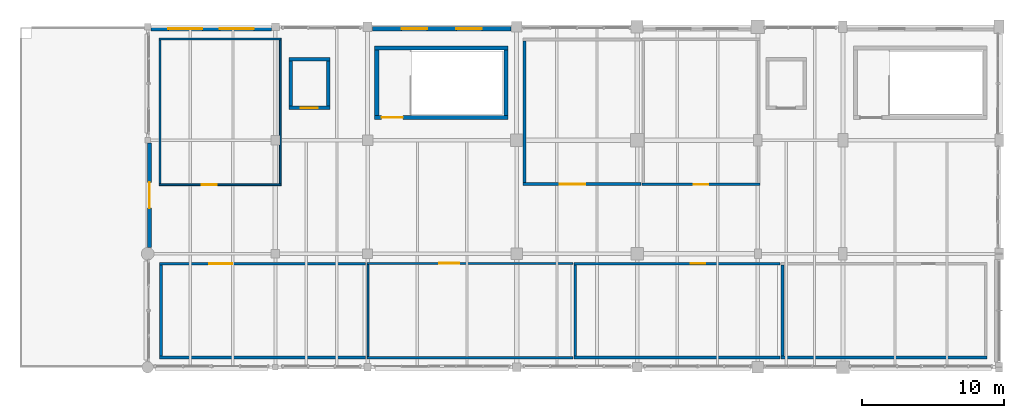
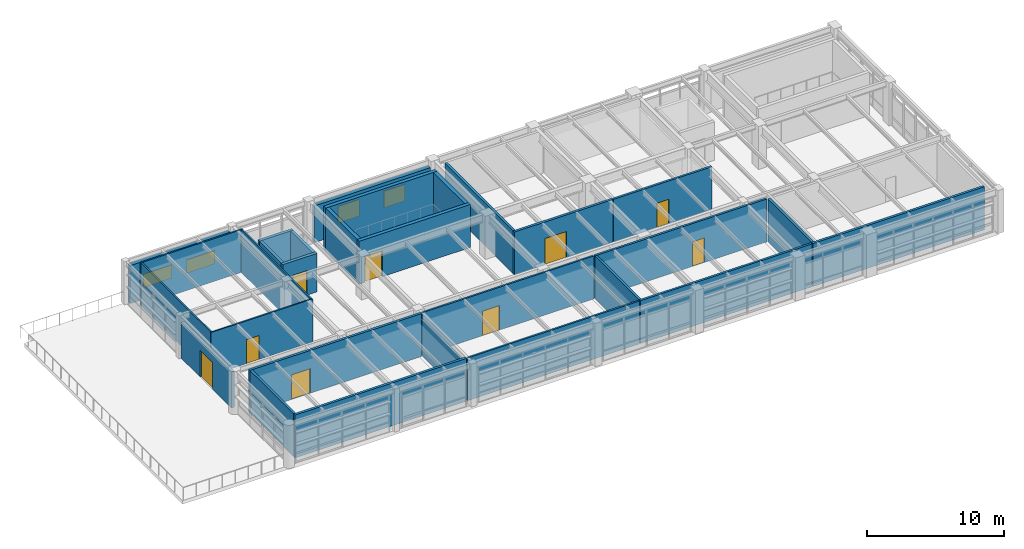
# One storey, part 24 of 26: 29 walls, 9 doors, 4 windows, 13 openings.
"""IFC4 building model written with IfcOpenShell, lengths in metres."""

from ifc_helpers import new_model, si_unit, direction, frame, frame_2d, origin, place, context, subcontext, project, spatial, rectangle, extrude, material, layer, layer_set, type_object, element, fill, save


model = new_model("IFC4")

# Units and contexts
model_context = context("Model", 3, precision=1e-05, world=origin(), true_north=direction((0.0, 1.0)))
body_context = subcontext(model_context, "Body", "Model", "MODEL_VIEW")
ifc_project = project(units=[si_unit("LENGTHUNIT", "METRE"), si_unit("AREAUNIT", "SQUARE_METRE"), si_unit("VOLUMEUNIT", "CUBIC_METRE"), si_unit("PLANEANGLEUNIT", "RADIAN"), si_unit("MASSUNIT", "GRAM", prefix="KILO"), si_unit("THERMODYNAMICTEMPERATUREUNIT", "KELVIN"), si_unit("POWERUNIT", "WATT")], contexts=[model_context])

# Site, building, storey
site_placement = place(None, origin())
site = spatial("IfcSite", under=ifc_project, at=site_placement, CompositionType="ELEMENT")
building_placement = place(site_placement, origin())
building = spatial("IfcBuilding", under=site, at=building_placement, Name="Tepalcoro Natatorium and Aquatics Centre", CompositionType="ELEMENT")
storey_placement = place(building_placement, frame((0.0, 0.0, 19.0)))
storey = spatial("IfcBuildingStorey", under=building, at=storey_placement, Name="L04", CompositionType="ELEMENT", Elevation=19.0)

# Wall, opening, door
ifc_material_1 = material(Name="Precast Concrete C45/55 (fc 45 MPa)", Category="concrete")
ifc_layer_1 = layer(ifc_material_1, 0.260009765625)
ifc_layer_set_1 = layer_set([ifc_layer_1], Name="Precast Concrete C45/55 (fc 45 MPa)")
wall_type_1 = type_object("IfcWallType", Name="WL_EXT_GABLE_260", PredefinedType="SOLIDWALL", material=ifc_layer_set_1)
wall_1_placement = place(storey_placement, frame((116.1298828125, 102.4541015625, 0.0), z_axis=(0.0, 0.0, 1.0), x_axis=(0.0, 1.0, 0.0)))
wall_1 = element("IfcWall", 1, at=wall_1_placement, inside=storey, type_object=wall_type_1, Name="V5 L04 W Volcanic Basalt Envelope Wall", PredefinedType="SOLIDWALL", context=body_context, shape_type="SweptSolid", body=[
    extrude(rectangle(XDim=7.341796875, YDim=0.260009765625, at=frame_2d((3.6708984375, 0.0))), origin(), (0.0, 0.0, 1.0), 3.2080078125),
])
opening_1_placement = place(wall_1_placement, frame((2.77099609375, 0.0, 0.0)))
opening_1 = element("IfcOpeningElement", 2, at=opening_1_placement, cuts=wall_1, Name="Opening ED5049", PredefinedType="OPENING", context=body_context, shape_type="SweptSolid", body=[
    extrude(rectangle(XDim=1.800048828125, YDim=2.39990234375, at=frame_2d((0.89990234375, 1.199951171875))), frame((0.0, 0.14208984375, 0.0), z_axis=(0.0, -1.0, 0.0), x_axis=(1.0, 0.0, 0.0)), (0.0, 0.0, 1.0), 0.283935546875),
])
ifc_material_2 = material(Name="Bronze-Anodised Extruded Aluminium Alloy EN AW-6063 T6", Category="aluminium")
door_type_1 = type_object("IfcDoorType", Name="DR_180x240_TERR", OperationType="NOTDEFINED", PredefinedType="DOOR", material=ifc_material_2)
door_1_placement = place(opening_1_placement, origin())
door_1 = element("IfcDoor", 3, at=door_1_placement, inside=storey, type_object=door_type_1, Name="V5 L04 Altitude Lab Terrace Door", OperationType="DOUBLE_DOOR_SINGLE_SWING", OverallHeight=2.39990234375, OverallWidth=1.800048828125, PredefinedType="DOOR", context=body_context, shape_type="SweptSolid", body=[
    extrude(rectangle(XDim=1.800048828125, YDim=2.39990234375, at=frame_2d((0.89990234375, 1.199951171875))), frame((0.0, 0.02490234375, 0.0), z_axis=(0.0, -1.0, 0.0), x_axis=(1.0, 0.0, 0.0)), (0.0, 0.0, 1.0), 0.050048828125),
])
fill(opening_1, door_1)

# Wall, openings, windows
ifc_material_3 = material(Name="Jalisco Cantera Rosa Volcanic Tuff Ashlar Masonry", Category="masonry")
ifc_layer_2 = layer(ifc_material_3, 0.304931640625)
ifc_layer_set_2 = layer_set([ifc_layer_2], Name="Jalisco Cantera Rosa Volcanic Tuff Ashlar Masonry")
wall_type_2 = type_object("IfcWallType", Name="WL_EXT_TERRACOTTA_300", PredefinedType="SOLIDWALL", material=ifc_layer_set_2)
wall_2_placement = place(storey_placement, frame((116.22900390625, 117.847412109375, 0.0), z_axis=(0.0, 0.0, 1.0), x_axis=(1.0, 0.0, 0.0)))
wall_2 = element("IfcWall", 4, at=wall_2_placement, inside=storey, type_object=wall_type_2, Name="V5 L04 N Volcanic Basalt Envelope Wall", PredefinedType="SOLIDWALL", context=body_context, shape_type="SweptSolid", body=[
    extrude(rectangle(XDim=8.491943359375, YDim=0.304931640625, at=frame_2d((4.24609375, 0.0))), origin(), (0.0, 0.0, 1.0), 3.406982421875),
])
opening_2_placement = place(wall_2_placement, frame((1.230712890625, 0.0, 0.949951171875)))
opening_2 = element("IfcOpeningElement", 5, at=opening_2_placement, cuts=wall_2, Name="Opening W0111A", PredefinedType="OPENING", context=body_context, shape_type="SweptSolid", body=[
    extrude(rectangle(XDim=2.39990234375, YDim=1.199951171875, at=frame_2d((1.199951171875, 0.60009765625))), frame((0.0, 0.16455078125, 0.0), z_axis=(0.0, -1.0, 0.0), x_axis=(1.0, 0.0, 0.0)), (0.0, 0.0, 1.0), 0.328857421875),
])
opening_3_placement = place(wall_2_placement, frame((4.861328125, 0.0, 0.949951171875)))
opening_3 = element("IfcOpeningElement", 6, at=opening_3_placement, cuts=wall_2, Name="Opening W0111B", PredefinedType="OPENING", context=body_context, shape_type="SweptSolid", body=[
    extrude(rectangle(XDim=2.39990234375, YDim=1.199951171875, at=frame_2d((1.199951171875, 0.60009765625))), frame((0.0, 0.16455078125, 0.0), z_axis=(0.0, -1.0, 0.0), x_axis=(1.0, 0.0, 0.0)), (0.0, 0.0, 1.0), 0.328857421875),
])
ifc_material_4 = material(Name="Solar-Control Bronze Tempered Low-E Double Glazing", Category="glass")
window_type_1 = type_object("IfcWindowType", Name="WN_240x120", PartitioningType="SINGLE_PANEL", PredefinedType="WINDOW", material=ifc_material_4)
window_1_placement = place(opening_2_placement, origin())
window_1 = element("IfcWindow", 7, at=window_1_placement, inside=storey, type_object=window_type_1, Name="Exterior Thermal Window WN_240x120", OverallHeight=1.199951171875, OverallWidth=2.39990234375, PartitioningType="SINGLE_PANEL", PredefinedType="WINDOW", context=body_context, shape_type="SweptSolid", body=[
    extrude(rectangle(XDim=2.39990234375, YDim=1.199951171875, at=frame_2d((1.199951171875, 0.60009765625))), frame((0.0, 0.030029296875, 0.0), z_axis=(0.0, -1.0, 0.0), x_axis=(1.0, 0.0, 0.0)), (0.0, 0.0, 1.0), 0.06005859375),
])
fill(opening_2, window_1)
window_2_placement = place(opening_3_placement, origin())
window_2 = element("IfcWindow", 8, at=window_2_placement, inside=storey, type_object=window_type_1, Name="Exterior Thermal Window WN_240x120", OverallHeight=1.199951171875, OverallWidth=2.39990234375, PartitioningType="SINGLE_PANEL", PredefinedType="WINDOW", context=body_context, shape_type="SweptSolid", body=[
    extrude(rectangle(XDim=2.39990234375, YDim=1.199951171875, at=frame_2d((1.199951171875, 0.60009765625))), frame((0.0, 0.030029296875, 0.0), z_axis=(0.0, -1.0, 0.0), x_axis=(1.0, 0.0, 0.0)), (0.0, 0.0, 1.0), 0.06005859375),
])
fill(opening_3, window_2)

wall_3_placement = place(storey_placement, frame((131.8291015625, 117.847412109375, 0.0), z_axis=(0.0, 0.0, 1.0), x_axis=(1.0, 0.0, 0.0)))
wall_3 = element("IfcWall", 9, at=wall_3_placement, inside=storey, type_object=wall_type_2, Name="V5 L04 N Volcanic Basalt Envelope Wall", PredefinedType="SOLIDWALL", context=body_context, shape_type="SweptSolid", body=[
    extrude(rectangle(XDim=9.7919921875, YDim=0.304931640625, at=frame_2d((4.89599609375, 0.0))), origin(), (0.0, 0.0, 1.0), 3.283935546875),
])
opening_4_placement = place(wall_3_placement, frame((2.06396484375, 0.0, 0.949951171875)))
opening_4 = element("IfcOpeningElement", 10, at=opening_4_placement, cuts=wall_3, Name="Opening W0112A", PredefinedType="OPENING", context=body_context, shape_type="SweptSolid", body=[
    extrude(rectangle(XDim=1.800048828125, YDim=1.5, at=frame_2d((0.89990234375, 0.75))), frame((0.0, 0.16455078125, 0.0), z_axis=(0.0, -1.0, 0.0), x_axis=(1.0, 0.0, 0.0)), (0.0, 0.0, 1.0), 0.328857421875),
])
opening_5_placement = place(wall_3_placement, frame((5.927978515625, 0.0, 0.949951171875)))
opening_5 = element("IfcOpeningElement", 11, at=opening_5_placement, cuts=wall_3, Name="Opening W0112B", PredefinedType="OPENING", context=body_context, shape_type="SweptSolid", body=[
    extrude(rectangle(XDim=1.800048828125, YDim=1.5, at=frame_2d((0.89990234375, 0.75))), frame((0.0, 0.16455078125, 0.0), z_axis=(0.0, -1.0, 0.0), x_axis=(1.0, 0.0, 0.0)), (0.0, 0.0, 1.0), 0.328857421875),
])
window_type_2 = type_object("IfcWindowType", Name="WN_180x150", PartitioningType="SINGLE_PANEL", PredefinedType="WINDOW", material=ifc_material_4)
window_3_placement = place(opening_4_placement, origin())
window_3 = element("IfcWindow", 12, at=window_3_placement, inside=storey, type_object=window_type_2, Name="Exterior Thermal Window WN_180x150", OverallHeight=1.5, OverallWidth=1.800048828125, PartitioningType="SINGLE_PANEL", PredefinedType="WINDOW", context=body_context, shape_type="SweptSolid", body=[
    extrude(rectangle(XDim=1.800048828125, YDim=1.5, at=frame_2d((0.89990234375, 0.75))), frame((0.0, 0.030029296875, 0.0), z_axis=(0.0, -1.0, 0.0), x_axis=(1.0, 0.0, 0.0)), (0.0, 0.0, 1.0), 0.06005859375),
])
fill(opening_4, window_3)
window_4_placement = place(opening_5_placement, origin())
window_4 = element("IfcWindow", 13, at=window_4_placement, inside=storey, type_object=window_type_2, Name="Exterior Thermal Window WN_180x150", OverallHeight=1.5, OverallWidth=1.800048828125, PartitioningType="SINGLE_PANEL", PredefinedType="WINDOW", context=body_context, shape_type="SweptSolid", body=[
    extrude(rectangle(XDim=1.800048828125, YDim=1.5, at=frame_2d((0.89990234375, 0.75))), frame((0.0, 0.030029296875, 0.0), z_axis=(0.0, -1.0, 0.0), x_axis=(1.0, 0.0, 0.0)), (0.0, 0.0, 1.0), 0.06005859375),
])
fill(opening_5, window_4)

# Wall, opening, door
ifc_material_5 = material(Name="Moisture-Resistant Acoustic Gypsum Drywall on Cold-Formed Metal Studs")
ifc_layer_3 = layer(ifc_material_5, 0.125)
ifc_layer_set_3 = layer_set([ifc_layer_3], Name="Moisture-Resistant Acoustic Gypsum Drywall on Cold-Formed Metal Studs")
wall_type_3 = type_object("IfcWallType", Name="WL_PART_125", PredefinedType="PARTITIONING", material=ifc_layer_set_3)
wall_4_placement = place(storey_placement, frame((116.800048828125, 106.862548828125, 0.0), z_axis=(0.0, 0.0, 1.0), x_axis=(1.0, 0.0, 0.0)))
wall_4 = element("IfcWall", 14, at=wall_4_placement, inside=storey, type_object=wall_type_3, Name="High-Altitude Physiology Data & Coaching Suite Partition S", PredefinedType="PARTITIONING", context=body_context, shape_type="SweptSolid", body=[
    extrude(rectangle(XDim=8.599853515625, YDim=0.125, at=frame_2d((4.2998046875, 0.0))), origin(), (0.0, 0.0, 1.0), 3.8349609375),
])
opening_6_placement = place(wall_4_placement, frame((3.0009765625, 0.0, 0.0)))
opening_6 = element("IfcOpeningElement", 15, at=opening_6_placement, cuts=wall_4, Name="Opening D0194", PredefinedType="OPENING", context=body_context, shape_type="SweptSolid", body=[
    extrude(rectangle(XDim=1.050048828125, YDim=2.14990234375, at=frame_2d((0.52490234375, 1.074951171875))), frame((0.0, 0.074462890625, 0.0), z_axis=(0.0, -1.0, 0.0), x_axis=(1.0, 0.0, 0.0)), (0.0, 0.0, 1.0), 0.14892578125),
])
ifc_material_6 = material(Name="Solid-Core Moisture-Sealed Oak Timber Leaf in Aluminium Frame", Category="wood")
door_type_2 = type_object("IfcDoorType", Name="DR_105x215_ACC", OperationType="NOTDEFINED", PredefinedType="DOOR", material=ifc_material_6)
door_2_placement = place(opening_6_placement, origin())
door_2 = element("IfcDoor", 16, at=door_2_placement, inside=storey, type_object=door_type_2, Name="High-Altitude Physiology Data & Coaching Suite Door", OperationType="SINGLE_SWING_LEFT", OverallHeight=2.14990234375, OverallWidth=1.050048828125, PredefinedType="DOOR", context=body_context, shape_type="SweptSolid", body=[
    extrude(rectangle(XDim=1.050048828125, YDim=2.14990234375, at=frame_2d((0.52490234375, 1.074951171875))), frame((0.0, 0.02490234375, 0.0), z_axis=(0.0, -1.0, 0.0), x_axis=(1.0, 0.0, 0.0)), (0.0, 0.0, 1.0), 0.050048828125),
])
fill(opening_6, door_2)

# Walls
wall_5_placement = place(storey_placement, frame((116.800048828125, 117.137451171875, 0.0), z_axis=(0.0, 0.0, 1.0), x_axis=(1.0, 0.0, 0.0)))
element("IfcWall", 17, at=wall_5_placement, inside=storey, type_object=wall_type_3, Name="High-Altitude Physiology Data & Coaching Suite Partition N", PredefinedType="PARTITIONING", context=body_context, shape_type="SweptSolid", body=[
    extrude(rectangle(XDim=8.599853515625, YDim=0.125, at=frame_2d((4.2998046875, 0.0))), origin(), (0.0, 0.0, 1.0), 3.8349609375),
])
for number, where, z_axis, x_axis, name in (
    (18, (125.33740234375, 106.925048828125, 0.0), (0.0, 0.0, 1.0), (0.0, 1.0, 0.0), "High-Altitude Physiology Data & Coaching Suite Partition E"),
    (19, (116.862548828125, 106.925048828125, 0.0), (0.0, 0.0, 1.0), (0.0, 1.0, 0.0), "High-Altitude Physiology Data & Coaching Suite Partition W"),
):
    element("IfcWall", number, at=place(storey_placement, frame(where, z_axis=z_axis, x_axis=x_axis)), inside=storey, type_object=wall_type_3, Name=name, PredefinedType="PARTITIONING", context=body_context, shape_type="SweptSolid", body=[
        extrude(rectangle(XDim=10.14990234375, YDim=0.125, at=frame_2d((5.074951171875, 0.0))), origin(), (0.0, 0.0, 1.0), 3.8349609375),
    ])
ifc_layer_4 = layer(ifc_material_5, 0.14990234375)
ifc_layer_set_4 = layer_set([ifc_layer_4], Name="Moisture-Resistant Acoustic Gypsum Drywall on Cold-Formed Metal Studs")
wall_type_4 = type_object("IfcWallType", Name="WL_PART_150_AC", PredefinedType="PARTITIONING", material=ifc_layer_set_4)
wall_6_placement = place(storey_placement, frame((131.43994140625, 94.675048828125, 0.0), z_axis=(0.0, 0.0, 1.0), x_axis=(1.0, 0.0, 0.0)))
element("IfcWall", 20, at=wall_6_placement, inside=storey, type_object=wall_type_4, Name="Aquatic Science Symposium Lecture Room (60 Seats) Partition S", PredefinedType="PARTITIONING", context=body_context, shape_type="SweptSolid", body=[
    extrude(rectangle(XDim=14.52001953125, YDim=0.14990234375, at=frame_2d((7.260009765625, 0.0))), origin(), (0.0, 0.0, 1.0), 3.8349609375),
])

# Wall, opening, door
wall_7_placement = place(storey_placement, frame((131.43994140625, 101.324951171875, 0.0), z_axis=(0.0, 0.0, 1.0), x_axis=(1.0, 0.0, 0.0)))
wall_7 = element("IfcWall", 21, at=wall_7_placement, inside=storey, type_object=wall_type_4, Name="Aquatic Science Symposium Lecture Room (60 Seats) Partition N", PredefinedType="PARTITIONING", context=body_context, shape_type="SweptSolid", body=[
    extrude(rectangle(XDim=14.52001953125, YDim=0.14990234375, at=frame_2d((7.260009765625, 0.0))), origin(), (0.0, 0.0, 1.0), 3.8349609375),
])
opening_7_placement = place(wall_7_placement, frame((5.11767578125, 0.0, 0.0)))
opening_7 = element("IfcOpeningElement", 22, at=opening_7_placement, cuts=wall_7, Name="Opening D0191", PredefinedType="OPENING", context=body_context, shape_type="SweptSolid", body=[
    extrude(rectangle(XDim=1.39990234375, YDim=2.199951171875, at=frame_2d((0.699951171875, 1.10009765625))), frame((0.0, 0.0869140625, 0.0), z_axis=(0.0, -1.0, 0.0), x_axis=(1.0, 0.0, 0.0)), (0.0, 0.0, 1.0), 0.173828125),
])
door_type_3 = type_object("IfcDoorType", Name="DR_140x220_TEAM", OperationType="NOTDEFINED", PredefinedType="DOOR", material=ifc_material_6)
door_3_placement = place(opening_7_placement, frame((1.39990234375, 0.0, 0.0), z_axis=(0.0, 0.0, 1.0), x_axis=(-1.0, 0.0, 0.0)))
door_3 = element("IfcDoor", 23, at=door_3_placement, inside=storey, type_object=door_type_3, Name="Aquatic Science Symposium Lecture Room (60 Seats) Door", OperationType="DOUBLE_DOOR_SINGLE_SWING", OverallHeight=2.199951171875, OverallWidth=1.39990234375, PredefinedType="DOOR", context=body_context, shape_type="SweptSolid", body=[
    extrude(rectangle(XDim=1.39990234375, YDim=2.199951171875, at=frame_2d((0.699951171875, 1.10009765625))), frame((0.0, 0.02490234375, 0.0), z_axis=(0.0, -1.0, 0.0), x_axis=(1.0, 0.0, 0.0)), (0.0, 0.0, 1.0), 0.050048828125),
])
fill(opening_7, door_3)

# Walls
wall_8_placement = place(storey_placement, frame((131.514892578125, 94.75, 0.0), z_axis=(0.0, 0.0, 1.0), x_axis=(0.0, 1.0, 0.0)))
element("IfcWall", 24, at=wall_8_placement, inside=storey, type_object=wall_type_4, Name="Aquatic Science Symposium Lecture Room (60 Seats) Partition W", PredefinedType="PARTITIONING", context=body_context, shape_type="SweptSolid", body=[
    extrude(rectangle(XDim=6.5, YDim=0.14990234375, at=frame_2d((3.25, 0.0))), origin(), (0.0, 0.0, 1.0), 3.202880859375),
])
ifc_layer_5 = layer(ifc_material_5, 0.179931640625)
ifc_layer_set_5 = layer_set([ifc_layer_5], Name="Moisture-Resistant Acoustic Gypsum Drywall on Cold-Formed Metal Studs")
wall_type_5 = type_object("IfcWallType", Name="WL_PART_180_AC", PredefinedType="PARTITIONING", material=ifc_layer_set_5)
wall_9_placement = place(storey_placement, frame((146.0400390625, 94.68994140625, 0.0), z_axis=(0.0, 0.0, 1.0), x_axis=(1.0, 0.0, 0.0)))
element("IfcWall", 25, at=wall_9_placement, inside=storey, type_object=wall_type_5, Name="Environmental Heat-Acclimatisation Chamber Partition S", PredefinedType="PARTITIONING", context=body_context, shape_type="SweptSolid", body=[
    extrude(rectangle(XDim=14.52001953125, YDim=0.179931640625, at=frame_2d((7.260009765625, 0.0))), origin(), (0.0, 0.0, 1.0), 3.8349609375),
])

# Wall, opening, door
wall_10_placement = place(storey_placement, frame((146.0400390625, 101.31005859375, 0.0), z_axis=(0.0, 0.0, 1.0), x_axis=(1.0, 0.0, 0.0)))
wall_10 = element("IfcWall", 26, at=wall_10_placement, inside=storey, type_object=wall_type_5, Name="Environmental Heat-Acclimatisation Chamber Partition N", PredefinedType="PARTITIONING", context=body_context, shape_type="SweptSolid", body=[
    extrude(rectangle(XDim=14.52001953125, YDim=0.179931640625, at=frame_2d((7.260009765625, 0.0))), origin(), (0.0, 0.0, 1.0), 3.8349609375),
])
opening_8_placement = place(wall_10_placement, frame((8.238037109375, 0.0, 0.0)))
opening_8 = element("IfcOpeningElement", 27, at=opening_8_placement, cuts=wall_10, Name="Opening D0192", PredefinedType="OPENING", context=body_context, shape_type="SweptSolid", body=[
    extrude(rectangle(XDim=1.02001953125, YDim=2.199951171875, at=frame_2d((0.510009765625, 1.10009765625))), frame((0.0, 0.10205078125, 0.0), z_axis=(0.0, -1.0, 0.0), x_axis=(1.0, 0.0, 0.0)), (0.0, 0.0, 1.0), 0.203857421875),
])
ifc_material_7 = material(Name="Galvanised Steel Insulated Acoustic Fire Door Assembly", Category="steel")
door_type_4 = type_object("IfcDoorType", Name="DR_100x220_FD90", OperationType="NOTDEFINED", PredefinedType="DOOR", material=ifc_material_7)
door_4_placement = place(opening_8_placement, frame((1.02001953125, 0.0, 0.0), z_axis=(0.0, 0.0, 1.0), x_axis=(-1.0, 0.0, 0.0)))
door_4 = element("IfcDoor", 28, at=door_4_placement, inside=storey, type_object=door_type_4, Name="Environmental Heat-Acclimatisation Chamber Door", OperationType="SINGLE_SWING_LEFT", OverallHeight=2.199951171875, OverallWidth=1.02001953125, PredefinedType="DOOR", context=body_context, shape_type="SweptSolid", body=[
    extrude(rectangle(XDim=1.02001953125, YDim=2.199951171875, at=frame_2d((0.510009765625, 1.10009765625))), frame((0.0, 0.02490234375, 0.0), z_axis=(0.0, -1.0, 0.0), x_axis=(1.0, 0.0, 0.0)), (0.0, 0.0, 1.0), 0.050048828125),
])
fill(opening_8, door_4)

# Wall
wall_11_placement = place(storey_placement, frame((146.1298828125, 94.780029296875, 0.0), z_axis=(0.0, 0.0, 1.0), x_axis=(0.0, 1.0, 0.0)))
element("IfcWall", 29, at=wall_11_placement, inside=storey, type_object=wall_type_5, Name="Environmental Heat-Acclimatisation Chamber Partition W", PredefinedType="PARTITIONING", context=body_context, shape_type="SweptSolid", body=[
    extrude(rectangle(XDim=6.43994140625, YDim=0.179931640625, at=frame_2d((3.219970703125, 0.0))), origin(), (0.0, 0.0, 1.0), 3.8349609375),
])

# Wall, opening, door
wall_12_placement = place(storey_placement, frame((150.840087890625, 106.889892578125, 0.0), z_axis=(0.0, 0.0, 1.0), x_axis=(1.0, 0.0, 0.0)))
wall_12 = element("IfcWall", 30, at=wall_12_placement, inside=storey, type_object=wall_type_5, Name="Observatory Catering Pantry & Chair Store Partition S", PredefinedType="PARTITIONING", context=body_context, shape_type="SweptSolid", body=[
    extrude(rectangle(XDim=8.31982421875, YDim=0.179931640625, at=frame_2d((4.159912109375, 0.0))), origin(), (0.0, 0.0, 1.0), 3.8349609375),
])
opening_9_placement = place(wall_12_placement, frame((3.659912109375, 0.0, 0.0)))
opening_9 = element("IfcOpeningElement", 31, at=opening_9_placement, cuts=wall_12, Name="Opening D0196", PredefinedType="OPENING", context=body_context, shape_type="SweptSolid", body=[
    extrude(rectangle(XDim=1.0, YDim=2.199951171875, at=frame_2d((0.5, 1.10009765625))), frame((0.0, 0.10205078125, 0.0), z_axis=(0.0, -1.0, 0.0), x_axis=(1.0, 0.0, 0.0)), (0.0, 0.0, 1.0), 0.203857421875),
])
door_type_5 = type_object("IfcDoorType", Name="DR_100x220_FD60", OperationType="NOTDEFINED", PredefinedType="DOOR", material=ifc_material_7)
door_5_placement = place(opening_9_placement, origin())
door_5 = element("IfcDoor", 32, at=door_5_placement, inside=storey, type_object=door_type_5, Name="Observatory Catering Pantry & Chair Store Door", OperationType="SINGLE_SWING_RIGHT", OverallHeight=2.199951171875, OverallWidth=1.0, PredefinedType="DOOR", context=body_context, shape_type="SweptSolid", body=[
    extrude(rectangle(XDim=1.0, YDim=2.199951171875, at=frame_2d((0.5, 1.10009765625))), frame((0.0, 0.02490234375, 0.0), z_axis=(0.0, -1.0, 0.0), x_axis=(1.0, 0.0, 0.0)), (0.0, 0.0, 1.0), 0.050048828125),
])
fill(opening_9, door_5)

# Walls
ifc_material_8 = material(Name="Ceramic-Tiled Moisture-Resistant Masonry Blockwork", Category="masonry")
ifc_layer_6 = layer(ifc_material_8, 0.199951171875)
ifc_layer_set_6 = layer_set([ifc_layer_6], Name="Ceramic-Tiled Moisture-Resistant Masonry Blockwork")
wall_type_6 = type_object("IfcWallType", Name="WL_PLUMB_200", PredefinedType="PLUMBINGWALL", material=ifc_layer_set_6)
wall_13_placement = place(storey_placement, frame((160.639892578125, 94.699951171875, 0.0), z_axis=(0.0, 0.0, 1.0), x_axis=(1.0, 0.0, 0.0)))
element("IfcWall", 33, at=wall_13_placement, inside=storey, type_object=wall_type_6, Name="L04 Observatory Male/Female & Accessible Toilets Partition S", PredefinedType="PLUMBINGWALL", context=body_context, shape_type="SweptSolid", body=[
    extrude(rectangle(XDim=14.52001953125, YDim=0.199951171875, at=frame_2d((7.260009765625, 0.0))), origin(), (0.0, 0.0, 1.0), 3.8349609375),
])
wall_14_placement = place(storey_placement, frame((160.739990234375, 94.800048828125, 0.0), z_axis=(0.0, 0.0, 1.0), x_axis=(0.0, 1.0, 0.0)))
element("IfcWall", 34, at=wall_14_placement, inside=storey, type_object=wall_type_6, Name="L04 Observatory Male/Female & Accessible Toilets Partition W", PredefinedType="PLUMBINGWALL", context=body_context, shape_type="SweptSolid", body=[
    extrude(rectangle(XDim=6.39990234375, YDim=0.199951171875, at=frame_2d((3.199951171875, 0.0))), origin(), (0.0, 0.0, 1.0), 3.8349609375),
])

# Wall, opening, door
ifc_material_9 = material(Name="Concrete C40/50 (fc 40 MPa)", Category="concrete")
ifc_layer_7 = layer(ifc_material_9, 0.239990234375)
ifc_layer_set_7 = layer_set([ifc_layer_7], Name="Concrete C40/50 (fc 40 MPa)")
wall_type_7 = type_object("IfcWallType", Name="WL_SHAFT_240", PredefinedType="SOLIDWALL", material=ifc_layer_set_7)
wall_15_placement = place(storey_placement, frame((125.9599609375, 112.280029296875, 0.0), z_axis=(0.0, 0.0, 1.0), x_axis=(1.0, 0.0, 0.0)))
wall_15 = element("IfcWall", 35, at=wall_15_placement, inside=storey, type_object=wall_type_7, Name="LF05 Lift Shaft Wall S L04", PredefinedType="SOLIDWALL", context=body_context, shape_type="SweptSolid", body=[
    extrude(rectangle(XDim=2.880126953125, YDim=0.239990234375, at=frame_2d((1.43994140625, 0.0))), origin(), (0.0, 0.0, 1.0), 3.449951171875),
])
opening_10_placement = place(wall_15_placement, frame((0.840087890625, 0.0, 0.0)))
opening_10 = element("IfcOpeningElement", 36, at=opening_10_placement, cuts=wall_15, Name="Opening LD-LF05-L04", PredefinedType="OPENING", context=body_context, shape_type="SweptSolid", body=[
    extrude(rectangle(XDim=1.199951171875, YDim=2.199951171875, at=frame_2d((0.60009765625, 1.10009765625))), frame((0.0, 0.1318359375, 0.0), z_axis=(0.0, -1.0, 0.0), x_axis=(1.0, 0.0, 0.0)), (0.0, 0.0, 1.0), 0.263916015625),
])
ifc_material_10 = material(Name="Marine-Grade Brushed Stainless Steel AISI 316L", Category="steel")
door_type_6 = type_object("IfcDoorType", Name="DR_120x220_LIFT", OperationType="NOTDEFINED", PredefinedType="USERDEFINED", material=ifc_material_10)
door_6_placement = place(opening_10_placement, origin())
door_6 = element("IfcDoor", 37, at=door_6_placement, inside=storey, type_object=door_type_6, Name="LF05 Lift Landing Sliding Door (L04)", ObjectType="SLIDING LANDING DOOR", OperationType="SLIDING_TO_LEFT", OverallHeight=2.199951171875, OverallWidth=1.199951171875, PredefinedType="USERDEFINED", context=body_context, shape_type="SweptSolid", body=[
    extrude(rectangle(XDim=1.199951171875, YDim=2.199951171875, at=frame_2d((0.60009765625, 1.10009765625))), frame((0.0, 0.02490234375, 0.0), z_axis=(0.0, -1.0, 0.0), x_axis=(1.0, 0.0, 0.0)), (0.0, 0.0, 1.0), 0.050048828125),
])
fill(opening_10, door_6)

# Walls
wall_16_placement = place(storey_placement, frame((125.9599609375, 115.719970703125, 0.0), z_axis=(0.0, 0.0, 1.0), x_axis=(1.0, 0.0, 0.0)))
element("IfcWall", 38, at=wall_16_placement, inside=storey, type_object=wall_type_7, Name="LF05 Lift Shaft Wall N L04", PredefinedType="SOLIDWALL", context=body_context, shape_type="SweptSolid", body=[
    extrude(rectangle(XDim=2.880126953125, YDim=0.239990234375, at=frame_2d((1.43994140625, 0.0))), origin(), (0.0, 0.0, 1.0), 3.449951171875),
])
for number, where, z_axis, x_axis, name in (
    (39, (126.080078125, 112.39990234375, 0.0), (0.0, 0.0, 1.0), (0.0, 1.0, 0.0), "LF05 Lift Shaft Wall W L04"),
    (40, (128.719970703125, 112.39990234375, 0.0), (0.0, 0.0, 1.0), (0.0, 1.0, 0.0), "LF05 Lift Shaft Wall E L04"),
):
    element("IfcWall", number, at=place(storey_placement, frame(where, z_axis=z_axis, x_axis=x_axis)), inside=storey, type_object=wall_type_7, Name=name, PredefinedType="SOLIDWALL", context=body_context, shape_type="SweptSolid", body=[
        extrude(rectangle(XDim=3.2001953125, YDim=0.239990234375, at=frame_2d((1.60009765625, 0.0))), origin(), (0.0, 0.0, 1.0), 3.449951171875),
    ])

# Wall, opening, door
ifc_layer_8 = layer(ifc_material_9, 0.300048828125)
ifc_layer_set_8 = layer_set([ifc_layer_8], Name="Concrete C40/50 (fc 40 MPa)")
wall_type_8 = type_object("IfcWallType", Name="WL_SHEAR_300", PredefinedType="SHEAR", material=ifc_layer_set_8)
wall_17_placement = place(storey_placement, frame((132.0, 111.60009765625, 0.0), z_axis=(0.0, 0.0, 1.0), x_axis=(1.0, 0.0, 0.0)))
wall_17 = element("IfcWall", 41, at=wall_17_placement, inside=storey, type_object=wall_type_8, Name="ST09 Core Shear Wall S L04", PredefinedType="SHEAR", context=body_context, shape_type="SweptSolid", body=[
    extrude(rectangle(XDim=9.39990234375, YDim=0.300048828125, at=frame_2d((4.699951171875, 0.0))), origin(), (0.0, 0.0, 1.0), 3.85009765625),
])
opening_11_placement = place(wall_17_placement, frame((0.47998046875, 0.0, 0.0)))
opening_11 = element("IfcOpeningElement", 42, at=opening_11_placement, cuts=wall_17, Name="Opening D0037", PredefinedType="OPENING", context=body_context, shape_type="SweptSolid", body=[
    extrude(rectangle(XDim=1.5, YDim=2.300048828125, at=frame_2d((0.75, 1.14990234375))), frame((0.0, 0.162109375, 0.0), z_axis=(0.0, -1.0, 0.0), x_axis=(1.0, 0.0, 0.0)), (0.0, 0.0, 1.0), 0.323974609375),
])
door_type_7 = type_object("IfcDoorType", Name="DR_150x230_FD60", OperationType="NOTDEFINED", PredefinedType="DOOR", material=ifc_material_7)
door_7_placement = place(opening_11_placement, origin())
door_7 = element("IfcDoor", 43, at=door_7_placement, inside=storey, type_object=door_type_7, Name="ST09 Fire Stair Door (L04)", OperationType="DOUBLE_DOOR_SINGLE_SWING", OverallHeight=2.300048828125, OverallWidth=1.5, PredefinedType="DOOR", context=body_context, shape_type="SweptSolid", body=[
    extrude(rectangle(XDim=1.5, YDim=2.300048828125, at=frame_2d((0.75, 1.14990234375))), frame((0.0, 0.02490234375, 0.0), z_axis=(0.0, -1.0, 0.0), x_axis=(1.0, 0.0, 0.0)), (0.0, 0.0, 1.0), 0.050048828125),
])
fill(opening_11, door_7)

# Walls
wall_18_placement = place(storey_placement, frame((132.0, 116.5, 0.0), z_axis=(0.0, 0.0, 1.0), x_axis=(1.0, 0.0, 0.0)))
element("IfcWall", 44, at=wall_18_placement, inside=storey, type_object=wall_type_8, Name="ST09 Core Shear Wall N L04", PredefinedType="SHEAR", context=body_context, shape_type="SweptSolid", body=[
    extrude(rectangle(XDim=9.39990234375, YDim=0.300048828125, at=frame_2d((4.699951171875, 0.0))), origin(), (0.0, 0.0, 1.0), 3.85009765625),
])
for number, where, z_axis, x_axis, name in (
    (45, (132.14990234375, 111.75, 0.0), (0.0, 0.0, 1.0), (0.0, 1.0, 0.0), "ST09 Core Shear Wall W L04"),
    (46, (141.25, 111.75, 0.0), (0.0, 0.0, 1.0), (0.0, 1.0, 0.0), "ST09 Core Shear Wall E L04"),
):
    element("IfcWall", number, at=place(storey_placement, frame(where, z_axis=z_axis, x_axis=x_axis)), inside=storey, type_object=wall_type_8, Name=name, PredefinedType="SHEAR", context=body_context, shape_type="SweptSolid", body=[
        extrude(rectangle(XDim=4.60009765625, YDim=0.300048828125, at=frame_2d((2.300048828125, 0.0))), origin(), (0.0, 0.0, 1.0), 3.85009765625),
    ])
ifc_material_11 = material(Name="Concrete C35/45 (fc 35 MPa)", Category="concrete")
ifc_layer_9 = layer(ifc_material_11, 0.205078125)
ifc_layer_set_9 = layer_set([ifc_layer_9], Name="Concrete C35/45 (fc 35 MPa)")
wall_type_9 = type_object("IfcWallType", Name="WL_SOLID_200_FR120", PredefinedType="SOLIDWALL", material=ifc_layer_set_9)
wall_19_placement = place(storey_placement, frame((116.840087890625, 94.702392578125, 0.0), z_axis=(0.0, 0.0, 1.0), x_axis=(1.0, 0.0, 0.0)))
element("IfcWall", 47, at=wall_19_placement, inside=storey, type_object=wall_type_9, Name="Volcanic Sierra Observatory & Athletes Sky Lounge Partition S", PredefinedType="SOLIDWALL", context=body_context, shape_type="SweptSolid", body=[
    extrude(rectangle(XDim=14.52001953125, YDim=0.205078125, at=frame_2d((7.260009765625, 0.0))), origin(), (0.0, 0.0, 1.0), 3.8349609375),
])

# Wall, opening, door
wall_20_placement = place(storey_placement, frame((116.840087890625, 101.297607421875, 0.0), z_axis=(0.0, 0.0, 1.0), x_axis=(1.0, 0.0, 0.0)))
wall_20 = element("IfcWall", 48, at=wall_20_placement, inside=storey, type_object=wall_type_9, Name="Volcanic Sierra Observatory & Athletes Sky Lounge Partition N", PredefinedType="SOLIDWALL", context=body_context, shape_type="SweptSolid", body=[
    extrude(rectangle(XDim=14.52001953125, YDim=0.205078125, at=frame_2d((7.260009765625, 0.0))), origin(), (0.0, 0.0, 1.0), 3.8349609375),
])
opening_12_placement = place(wall_20_placement, frame((3.5048828125, 0.0, 0.0)))
opening_12 = element("IfcOpeningElement", 49, at=opening_12_placement, cuts=wall_20, Name="Opening D0190", PredefinedType="OPENING", context=body_context, shape_type="SweptSolid", body=[
    extrude(rectangle(XDim=1.60009765625, YDim=2.199951171875, at=frame_2d((0.800048828125, 1.10009765625))), frame((0.0, 0.114501953125, 0.0), z_axis=(0.0, -1.0, 0.0), x_axis=(1.0, 0.0, 0.0)), (0.0, 0.0, 1.0), 0.22900390625),
])
door_type_8 = type_object("IfcDoorType", Name="DR_160x220_FD90", OperationType="NOTDEFINED", PredefinedType="DOOR", material=ifc_material_7)
door_8_placement = place(opening_12_placement, frame((1.60009765625, 0.0, 0.0), z_axis=(0.0, 0.0, 1.0), x_axis=(-1.0, 0.0, 0.0)))
door_8 = element("IfcDoor", 50, at=door_8_placement, inside=storey, type_object=door_type_8, Name="Volcanic Sierra Observatory & Athletes Sky Lounge Door", OperationType="DOUBLE_DOOR_SINGLE_SWING", OverallHeight=2.199951171875, OverallWidth=1.60009765625, PredefinedType="DOOR", context=body_context, shape_type="SweptSolid", body=[
    extrude(rectangle(XDim=1.60009765625, YDim=2.199951171875, at=frame_2d((0.800048828125, 1.10009765625))), frame((0.0, 0.02490234375, 0.0), z_axis=(0.0, -1.0, 0.0), x_axis=(1.0, 0.0, 0.0)), (0.0, 0.0, 1.0), 0.050048828125),
])
fill(opening_12, door_8)

# Wall
wall_21_placement = place(storey_placement, frame((116.9423828125, 94.804931640625, 0.0), z_axis=(0.0, 0.0, 1.0), x_axis=(0.0, 1.0, 0.0)))
element("IfcWall", 51, at=wall_21_placement, inside=storey, type_object=wall_type_9, Name="Volcanic Sierra Observatory & Athletes Sky Lounge Partition W", PredefinedType="SOLIDWALL", context=body_context, shape_type="SweptSolid", body=[
    extrude(rectangle(XDim=6.39013671875, YDim=0.205078125, at=frame_2d((3.195068359375, 0.0))), origin(), (0.0, 0.0, 1.0), 3.8349609375),
])

# Wall, opening, door
wall_22_placement = place(storey_placement, frame((142.43994140625, 106.902587890625, 0.0), z_axis=(0.0, 0.0, 1.0), x_axis=(1.0, 0.0, 0.0)))
wall_22 = element("IfcWall", 52, at=wall_22_placement, inside=storey, type_object=wall_type_9, Name="Solar-Thermal Inverter & Heat-Recovery AHU Plant Partition S", PredefinedType="SOLIDWALL", context=body_context, shape_type="SweptSolid", body=[
    extrude(rectangle(XDim=8.320068359375, YDim=0.205078125, at=frame_2d((4.16015625, 0.0))), origin(), (0.0, 0.0, 1.0), 3.8349609375),
])
opening_13_placement = place(wall_22_placement, frame((2.609619140625, 0.0, 0.0)))
opening_13 = element("IfcOpeningElement", 53, at=opening_13_placement, cuts=wall_22, Name="Opening D0195", PredefinedType="OPENING", context=body_context, shape_type="SweptSolid", body=[
    extrude(rectangle(XDim=1.800048828125, YDim=2.35009765625, at=frame_2d((0.89990234375, 1.175048828125))), frame((0.0, 0.114501953125, 0.0), z_axis=(0.0, -1.0, 0.0), x_axis=(1.0, 0.0, 0.0)), (0.0, 0.0, 1.0), 0.22900390625),
])
door_type_9 = type_object("IfcDoorType", Name="DR_180x240_PLANT", OperationType="NOTDEFINED", PredefinedType="DOOR", material=ifc_material_7)
door_9_placement = place(opening_13_placement, origin())
door_9 = element("IfcDoor", 54, at=door_9_placement, inside=storey, type_object=door_type_9, Name="Solar-Thermal Inverter & Heat-Recovery AHU Plant Door", OperationType="DOUBLE_DOOR_SINGLE_SWING", OverallHeight=2.35009765625, OverallWidth=1.800048828125, PredefinedType="DOOR", context=body_context, shape_type="SweptSolid", body=[
    extrude(rectangle(XDim=1.800048828125, YDim=2.35009765625, at=frame_2d((0.89990234375, 1.175048828125))), frame((0.0, 0.02490234375, 0.0), z_axis=(0.0, -1.0, 0.0), x_axis=(1.0, 0.0, 0.0)), (0.0, 0.0, 1.0), 0.050048828125),
])
fill(opening_13, door_9)

# Wall
wall_23_placement = place(storey_placement, frame((142.54248046875, 107.0048828125, 0.0), z_axis=(0.0, 0.0, 1.0), x_axis=(0.0, 1.0, 0.0)))
element("IfcWall", 55, at=wall_23_placement, inside=storey, type_object=wall_type_9, Name="Solar-Thermal Inverter & Heat-Recovery AHU Plant Partition W", PredefinedType="SOLIDWALL", context=body_context, shape_type="SweptSolid", body=[
    extrude(rectangle(XDim=9.990234375, YDim=0.205078125, at=frame_2d((4.9951171875, 0.0))), origin(), (0.0, 0.0, 1.0), 3.8349609375),
])

save(model, "model.ifc")
